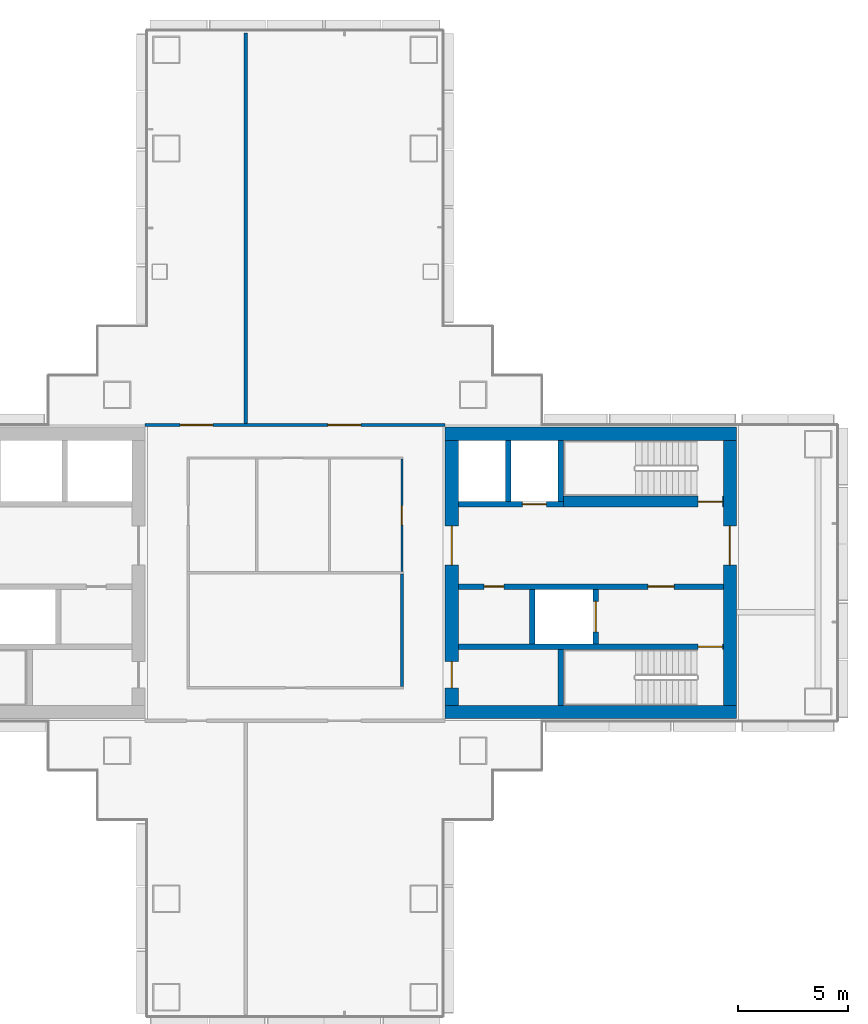
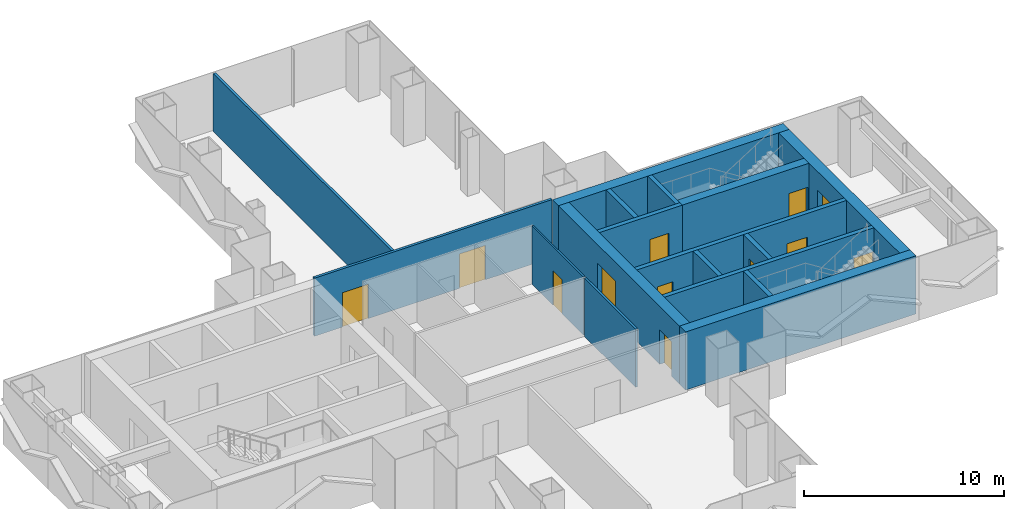
# One storey, part 15 of 20: 17 walls, 12 doors, 12 openings.
"""IFC4 building model written with IfcOpenShell, lengths in metres."""

from ifc_helpers import new_model, si_unit, direction, frame, frame_2d, origin, place, context, subcontext, project, spatial, rectangle, extrude, material, layer, layer_set, type_object, element, fill, save


model = new_model("IFC4")

# Units and contexts
model_context = context("Model", 3, precision=1e-05, world=origin(), true_north=direction((0.0, 1.0)))
body_context = subcontext(model_context, "Body", "Model", "MODEL_VIEW")
ifc_project = project(units=[si_unit("LENGTHUNIT", "METRE"), si_unit("AREAUNIT", "SQUARE_METRE"), si_unit("VOLUMEUNIT", "CUBIC_METRE"), si_unit("PLANEANGLEUNIT", "RADIAN"), si_unit("MASSUNIT", "GRAM", prefix="KILO")], contexts=[model_context])

# Site, building, storey
site_placement = place(None, origin())
site = spatial("IfcSite", under=ifc_project, at=site_placement, CompositionType="ELEMENT")
building_placement = place(site_placement, origin())
building = spatial("IfcBuilding", under=site, at=building_placement, Name="Shamsa Quay Exchange Towers", CompositionType="ELEMENT")
storey_placement = place(building_placement, frame((0.0, 0.0, 105.300048828125)))
storey = spatial("IfcBuildingStorey", under=building, at=storey_placement, Name="L24", CompositionType="ELEMENT", Elevation=105.300048828125)

# Walls
ifc_material_1 = material(Name="Concrete C70/85", Category="concrete")
ifc_layer_1 = layer(ifc_material_1, 0.60009765625)
ifc_layer_set_1 = layer_set([ifc_layer_1], Name="CORE WALL 600 C70/85")
wall_type_1 = type_object("IfcWallType", Name="CORE WALL 600 C70/85", PredefinedType="SHEAR", material=ifc_layer_set_1)
for number, where, z_axis, x_axis, name in (
    (1, (53.89990234375, -6.35009765625, 0.0), (0.0, 0.0, 1.0), (-1.0, 0.0, 0.0), "Core wall T2B-R10-PS"),
    (2, (53.89990234375, 6.35009765625, 0.0), (0.0, 0.0, 1.0), (-1.0, 0.0, 0.0), "Core wall T2B-R10-PN"),
):
    element("IfcWall", number, at=place(storey_placement, frame(where, z_axis=z_axis, x_axis=x_axis)), inside=storey, type_object=wall_type_1, Name=name, PredefinedType="SHEAR", context=body_context, shape_type="SweptSolid", body=[
        extrude(rectangle(XDim=13.2998046875, YDim=0.60009765625, at=frame_2d((6.64990234375, 0.0))), origin(), (0.0, 0.0, 1.0), 3.550048828125),
    ])

# Wall, opening, door
wall_1_placement = place(storey_placement, frame((53.60009765625, -6.050048828125, 0.0), z_axis=(0.0, 0.0, 1.0), x_axis=(0.0, 1.0, 0.0)))
wall_1 = element("IfcWall", 3, at=wall_1_placement, inside=storey, type_object=wall_type_1, Name="Core wall T2B-R10-PF", PredefinedType="SHEAR", context=body_context, shape_type="SweptSolid", body=[
    extrude(rectangle(XDim=12.10009765625, YDim=0.60009765625, at=frame_2d((6.050048828125, 0.0))), origin(), (0.0, 0.0, 1.0), 3.550048828125),
])
opening_1_placement = place(wall_1_placement, frame((6.39990234375, 0.0, 0.0)))
opening_1 = element("IfcOpeningElement", 4, at=opening_1_placement, cuts=wall_1, Name="Opening T2B-R10-LBD01", PredefinedType="OPENING", context=body_context, shape_type="SweptSolid", body=[
    extrude(rectangle(XDim=1.800048828125, YDim=2.39990234375, at=frame_2d((0.89990234375, 1.199951171875))), frame((0.0, 0.31005859375, 0.0), z_axis=(0.0, -1.0, 0.0), x_axis=(1.0, 0.0, 0.0)), (0.0, 0.0, 1.0), 0.6201171875),
])
ifc_material_2 = material(Name="Steel, fire rated", Category="steel")
door_type_1 = type_object("IfcDoorType", Name="LIFT LOBBY DOOR PAIR 1800", OperationType="DOUBLE_DOOR_SINGLE_SWING", PredefinedType="DOOR", material=ifc_material_2)
door_1_placement = place(opening_1_placement, origin())
door_1 = element("IfcDoor", 5, at=door_1_placement, inside=storey, type_object=door_type_1, Name="T2B-R10-LBD01", OperationType="DOUBLE_DOOR_SINGLE_SWING", OverallHeight=2.39990234375, OverallWidth=1.800048828125, PredefinedType="DOOR", context=body_context, shape_type="SweptSolid", body=[
    extrude(rectangle(XDim=1.800048828125, YDim=2.39990234375, at=frame_2d((0.89990234375, 1.199951171875))), frame((0.0, 0.02490234375, 0.0), z_axis=(0.0, -1.0, 0.0), x_axis=(1.0, 0.0, 0.0)), (0.0, 0.0, 1.0), 0.050048828125),
])
fill(opening_1, door_1)

# Wall, openings, doors
wall_2_placement = place(storey_placement, frame((40.89990234375, -6.050048828125, 0.0), z_axis=(0.0, 0.0, 1.0), x_axis=(0.0, 1.0, 0.0)))
wall_2 = element("IfcWall", 6, at=wall_2_placement, inside=storey, type_object=wall_type_1, Name="Core wall T2B-R10-PB", PredefinedType="SHEAR", context=body_context, shape_type="SweptSolid", body=[
    extrude(rectangle(XDim=12.10009765625, YDim=0.60009765625, at=frame_2d((6.050048828125, 0.0))), origin(), (0.0, 0.0, 1.0), 3.550048828125),
])
opening_2_placement = place(wall_2_placement, frame((0.800048828125, 0.0, 0.0)))
opening_2 = element("IfcOpeningElement", 7, at=opening_2_placement, cuts=wall_2, Name="Opening T2B-R10-RD02", PredefinedType="OPENING", context=body_context, shape_type="SweptSolid", body=[
    extrude(rectangle(XDim=1.199951171875, YDim=2.10009765625, at=frame_2d((0.60009765625, 1.050048828125))), frame((0.0, 0.31005859375, 0.0), z_axis=(0.0, -1.0, 0.0), x_axis=(1.0, 0.0, 0.0)), (0.0, 0.0, 1.0), 0.6201171875),
])
opening_3_placement = place(wall_2_placement, frame((6.39990234375, 0.0, 0.0)))
opening_3 = element("IfcOpeningElement", 8, at=opening_3_placement, cuts=wall_2, Name="Opening T2B-R10-LBD03", PredefinedType="OPENING", context=body_context, shape_type="SweptSolid", body=[
    extrude(rectangle(XDim=1.800048828125, YDim=2.39990234375, at=frame_2d((0.89990234375, 1.199951171875))), frame((0.0, 0.31005859375, 0.0), z_axis=(0.0, -1.0, 0.0), x_axis=(1.0, 0.0, 0.0)), (0.0, 0.0, 1.0), 0.6201171875),
])
door_2_placement = place(opening_3_placement, origin())
door_2 = element("IfcDoor", 9, at=door_2_placement, inside=storey, type_object=door_type_1, Name="T2B-R10-LBD03", OperationType="DOUBLE_DOOR_SINGLE_SWING", OverallHeight=2.39990234375, OverallWidth=1.800048828125, PredefinedType="DOOR", context=body_context, shape_type="SweptSolid", body=[
    extrude(rectangle(XDim=1.800048828125, YDim=2.39990234375, at=frame_2d((0.89990234375, 1.199951171875))), frame((0.0, 0.02490234375, 0.0), z_axis=(0.0, -1.0, 0.0), x_axis=(1.0, 0.0, 0.0)), (0.0, 0.0, 1.0), 0.050048828125),
])
fill(opening_3, door_2)
door_type_2 = type_object("IfcDoorType", Name="RISER ACCESS DOOR 1200", OperationType="SINGLE_SWING_LEFT", PredefinedType="DOOR", material=ifc_material_2)
door_3_placement = place(opening_2_placement, origin())
door_3 = element("IfcDoor", 10, at=door_3_placement, inside=storey, type_object=door_type_2, Name="T2B-R10-RD02", OperationType="SINGLE_SWING_LEFT", OverallHeight=2.10009765625, OverallWidth=1.199951171875, PredefinedType="DOOR", context=body_context, shape_type="SweptSolid", body=[
    extrude(rectangle(XDim=1.199951171875, YDim=2.10009765625, at=frame_2d((0.60009765625, 1.050048828125))), frame((0.0, 0.02490234375, 0.0), z_axis=(0.0, -1.0, 0.0), x_axis=(1.0, 0.0, 0.0)), (0.0, 0.0, 1.0), 0.050048828125),
])
fill(opening_2, door_3)

# Wall
ifc_material_3 = material(Name="Laminated fire-resisting glass in a metal frame", Category="glass")
ifc_layer_2 = layer(ifc_material_3, 0.125)
ifc_layer_set_2 = layer_set([ifc_layer_2], Name="Glazed partition 125 mm EI 60")
wall_type_2 = type_object("IfcWallType", Name="Glazed partition 125 mm EI 60", PredefinedType="PARTITIONING", material=ifc_layer_set_2)
wall_3_placement = place(storey_placement, frame((38.625, -5.1875, 0.0), z_axis=(0.0, 0.0, 1.0), x_axis=(0.0, 1.0, 0.0)))
element("IfcWall", 11, at=wall_3_placement, inside=storey, type_object=wall_type_2, Name="Partition T2-R10-W01", PredefinedType="PARTITIONING", context=body_context, shape_type="SweptSolid", body=[
    extrude(rectangle(XDim=5.125, YDim=0.125, at=frame_2d((2.5625, 0.0))), origin(), (0.0, 0.0, 1.0), 3.550048828125),
])

# Wall, opening, door
ifc_material_4 = material(Name="Gypsum board partition on metal studs")
ifc_layer_3 = layer(ifc_material_4, 0.10009765625)
ifc_layer_set_3 = layer_set([ifc_layer_3], Name="Partition 100 mm NOT RATED")
wall_type_3 = type_object("IfcWallType", Name="Partition 100 mm NOT RATED", PredefinedType="PARTITIONING", material=ifc_layer_set_3)
wall_4_placement = place(storey_placement, frame((38.625, 0.0625, 0.0), z_axis=(0.0, 0.0, 1.0), x_axis=(0.0, 1.0, 0.0)))
wall_4 = element("IfcWall", 12, at=wall_4_placement, inside=storey, type_object=wall_type_3, Name="Partition T2-R10-W04", PredefinedType="PARTITIONING", context=body_context, shape_type="SweptSolid", body=[
    extrude(rectangle(XDim=5.137451171875, YDim=0.10009765625, at=frame_2d((2.56884765625, 0.0))), origin(), (0.0, 0.0, 1.0), 3.550048828125),
])
opening_4_placement = place(wall_4_placement, frame((2.112548828125, 0.0, 0.0)))
opening_4 = element("IfcOpeningElement", 13, at=opening_4_placement, cuts=wall_4, Name="Opening T2-R10-D04", PredefinedType="OPENING", context=body_context, shape_type="SweptSolid", body=[
    extrude(rectangle(XDim=0.89990234375, YDim=2.10009765625, at=frame_2d((0.449951171875, 1.050048828125))), frame((0.0, 0.06005859375, 0.0), z_axis=(0.0, -1.0, 0.0), x_axis=(1.0, 0.0, 0.0)), (0.0, 0.0, 1.0), 0.1201171875),
])
ifc_material_5 = material(Name="Timber door leaf in a metal frame", Category="wood")
door_type_3 = type_object("IfcDoorType", Name="Door 900x2100 NOT RATED", OperationType="NOTDEFINED", PredefinedType="DOOR", material=ifc_material_5)
door_4_placement = place(opening_4_placement, origin())
door_4 = element("IfcDoor", 14, at=door_4_placement, inside=storey, type_object=door_type_3, Name="Door T2-R10-D04", OperationType="SINGLE_SWING_LEFT", OverallHeight=2.10009765625, OverallWidth=0.89990234375, PredefinedType="DOOR", context=body_context, shape_type="SweptSolid", body=[
    extrude(rectangle(XDim=0.89990234375, YDim=2.10009765625, at=frame_2d((0.449951171875, 1.050048828125))), frame((0.0, 0.02490234375, 0.0), z_axis=(0.0, -1.0, 0.0), x_axis=(1.0, 0.0, 0.0)), (0.0, 0.0, 1.0), 0.050048828125),
])
fill(opening_4, door_4)

# Wall, openings, doors
ifc_layer_4 = layer(ifc_material_4, 0.14990234375)
ifc_layer_set_4 = layer_set([ifc_layer_4], Name="Partition 150 mm EI 60")
wall_type_4 = type_object("IfcWallType", Name="Partition 150 mm EI 60", PredefinedType="PARTITIONING", material=ifc_layer_set_4)
wall_5_placement = place(storey_placement, frame((26.89990234375, 6.75, 0.0)))
wall_5 = element("IfcWall", 15, at=wall_5_placement, inside=storey, type_object=wall_type_4, Name="Partition T2-R10-W07", PredefinedType="PARTITIONING", context=body_context, shape_type="SweptSolid", body=[
    extrude(rectangle(XDim=13.7001953125, YDim=0.14990234375, at=frame_2d((6.85009765625, 0.0))), origin(), (0.0, 0.0, 1.0), 3.550048828125),
])
opening_5_placement = place(wall_5_placement, frame((8.35009765625, 0.0, 0.0)))
opening_5 = element("IfcOpeningElement", 16, at=opening_5_placement, cuts=wall_5, Name="Opening T2-R10-D01", PredefinedType="OPENING", context=body_context, shape_type="SweptSolid", body=[
    extrude(rectangle(XDim=1.5, YDim=2.10009765625, at=frame_2d((0.75, 1.050048828125))), frame((0.0, 0.0849609375, 0.0), z_axis=(0.0, -1.0, 0.0), x_axis=(1.0, 0.0, 0.0)), (0.0, 0.0, 1.0), 0.169921875),
])
opening_6_placement = place(wall_5_placement, frame((1.60009765625, 0.0, 0.0)))
opening_6 = element("IfcOpeningElement", 17, at=opening_6_placement, cuts=wall_5, Name="Opening T2-R10-D02", PredefinedType="OPENING", context=body_context, shape_type="SweptSolid", body=[
    extrude(rectangle(XDim=1.5, YDim=2.10009765625, at=frame_2d((0.75, 1.050048828125))), frame((0.0, 0.0849609375, 0.0), z_axis=(0.0, -1.0, 0.0), x_axis=(1.0, 0.0, 0.0)), (0.0, 0.0, 1.0), 0.169921875),
])
door_type_4 = type_object("IfcDoorType", Name="Door 1500x2100 FD30S pair", OperationType="NOTDEFINED", PredefinedType="DOOR", material=ifc_material_5)
door_5_placement = place(opening_5_placement, origin())
door_5 = element("IfcDoor", 18, at=door_5_placement, inside=storey, type_object=door_type_4, Name="Door T2-R10-D01", OperationType="DOUBLE_DOOR_SINGLE_SWING", OverallHeight=2.10009765625, OverallWidth=1.5, PredefinedType="DOOR", context=body_context, shape_type="SweptSolid", body=[
    extrude(rectangle(XDim=1.5, YDim=2.10009765625, at=frame_2d((0.75, 1.050048828125))), frame((0.0, 0.02490234375, 0.0), z_axis=(0.0, -1.0, 0.0), x_axis=(1.0, 0.0, 0.0)), (0.0, 0.0, 1.0), 0.050048828125),
])
fill(opening_5, door_5)
door_6_placement = place(opening_6_placement, origin())
door_6 = element("IfcDoor", 19, at=door_6_placement, inside=storey, type_object=door_type_4, Name="Door T2-R10-D02", OperationType="DOUBLE_DOOR_SINGLE_SWING", OverallHeight=2.10009765625, OverallWidth=1.5, PredefinedType="DOOR", context=body_context, shape_type="SweptSolid", body=[
    extrude(rectangle(XDim=1.5, YDim=2.10009765625, at=frame_2d((0.75, 1.050048828125))), frame((0.0, 0.02490234375, 0.0), z_axis=(0.0, -1.0, 0.0), x_axis=(1.0, 0.0, 0.0)), (0.0, 0.0, 1.0), 0.050048828125),
])
fill(opening_6, door_6)

# Wall
wall_6_placement = place(storey_placement, frame((31.5, 24.655029296875, 0.0), z_axis=(0.0, 0.0, 1.0), x_axis=(0.0, -1.0, 0.0)))
element("IfcWall", 20, at=wall_6_placement, inside=storey, type_object=wall_type_4, Name="Partition T2-R10-W13", PredefinedType="PARTITIONING", context=body_context, shape_type="SweptSolid", body=[
    extrude(rectangle(XDim=17.830078125, YDim=0.14990234375, at=frame_2d((8.9150390625, 0.0))), origin(), (0.0, 0.0, 1.0), 3.550048828125),
])

# Wall, opening, door
ifc_material_6 = material(Name="Concrete C50/60", Category="concrete")
ifc_layer_5 = layer(ifc_material_6, 0.25)
ifc_layer_set_5 = layer_set([ifc_layer_5], Name="SHAFT WALL 250 C50/60")
wall_type_5 = type_object("IfcWallType", Name="SHAFT WALL 250 C50/60", PredefinedType="SHEAR", material=ifc_layer_set_5)
wall_7_placement = place(storey_placement, frame((53.300048828125, -3.375, 0.0), z_axis=(0.0, 0.0, 1.0), x_axis=(-1.0, 0.0, 0.0)))
wall_7 = element("IfcWall", 21, at=wall_7_placement, inside=storey, type_object=wall_type_5, Name="Shaft wall T2B-R10-STL", PredefinedType="SHEAR", context=body_context, shape_type="SweptSolid", body=[
    extrude(rectangle(XDim=12.10009765625, YDim=0.25, at=frame_2d((6.050048828125, 0.0))), origin(), (0.0, 0.0, 1.0), 3.550048828125),
])
opening_7_placement = place(wall_7_placement, frame((0.050048828125, 0.0, 0.0)))
opening_7 = element("IfcOpeningElement", 22, at=opening_7_placement, cuts=wall_7, Name="Opening T2B-R10-SD04", PredefinedType="OPENING", context=body_context, shape_type="SweptSolid", body=[
    extrude(rectangle(XDim=1.10009765625, YDim=2.10009765625, at=frame_2d((0.550048828125, 1.050048828125))), frame((0.0, 0.135009765625, 0.0), z_axis=(0.0, -1.0, 0.0), x_axis=(1.0, 0.0, 0.0)), (0.0, 0.0, 1.0), 0.27001953125),
])
door_type_5 = type_object("IfcDoorType", Name="STAIR DOOR 1100", OperationType="SINGLE_SWING_LEFT", PredefinedType="DOOR", material=ifc_material_2)
door_7_placement = place(opening_7_placement, origin())
door_7 = element("IfcDoor", 23, at=door_7_placement, inside=storey, type_object=door_type_5, Name="T2B-R10-SD04", OperationType="SINGLE_SWING_LEFT", OverallHeight=2.10009765625, OverallWidth=1.10009765625, PredefinedType="DOOR", context=body_context, shape_type="SweptSolid", body=[
    extrude(rectangle(XDim=1.10009765625, YDim=2.10009765625, at=frame_2d((0.550048828125, 1.050048828125))), frame((0.0, 0.02490234375, 0.0), z_axis=(0.0, -1.0, 0.0), x_axis=(1.0, 0.0, 0.0)), (0.0, 0.0, 1.0), 0.050048828125),
])
fill(opening_7, door_7)

# Wall
wall_8_placement = place(storey_placement, frame((45.875, -6.050048828125, 0.0), z_axis=(0.0, 0.0, 1.0), x_axis=(0.0, 1.0, 0.0)))
element("IfcWall", 24, at=wall_8_placement, inside=storey, type_object=wall_type_5, Name="Shaft wall T2B-R10-STF", PredefinedType="SHEAR", context=body_context, shape_type="SweptSolid", body=[
    extrude(rectangle(XDim=2.550048828125, YDim=0.25, at=frame_2d((1.27490234375, 0.0))), origin(), (0.0, 0.0, 1.0), 3.550048828125),
])

# Wall, openings, doors
wall_9_placement = place(storey_placement, frame((53.300048828125, -0.625, 0.0), z_axis=(0.0, 0.0, 1.0), x_axis=(-1.0, 0.0, 0.0)))
wall_9 = element("IfcWall", 25, at=wall_9_placement, inside=storey, type_object=wall_type_5, Name="Shaft wall T2B-R10-B", PredefinedType="SHEAR", context=body_context, shape_type="SweptSolid", body=[
    extrude(rectangle(XDim=12.10009765625, YDim=0.25, at=frame_2d((6.050048828125, 0.0))), origin(), (0.0, 0.0, 1.0), 3.550048828125),
])
opening_8_placement = place(wall_9_placement, frame((2.25, 0.0, 0.0)))
opening_8 = element("IfcOpeningElement", 26, at=opening_8_placement, cuts=wall_9, Name="Opening T2B-R10-FD05", PredefinedType="OPENING", context=body_context, shape_type="SweptSolid", body=[
    extrude(rectangle(XDim=1.199951171875, YDim=2.10009765625, at=frame_2d((0.60009765625, 1.050048828125))), frame((0.0, 0.135009765625, 0.0), z_axis=(0.0, -1.0, 0.0), x_axis=(1.0, 0.0, 0.0)), (0.0, 0.0, 1.0), 0.27001953125),
])
opening_9_placement = place(wall_9_placement, frame((10.02490234375, 0.0, 0.0)))
opening_9 = element("IfcOpeningElement", 27, at=opening_9_placement, cuts=wall_9, Name="Opening T2B-R10-SV06", PredefinedType="OPENING", context=body_context, shape_type="SweptSolid", body=[
    extrude(rectangle(XDim=0.89990234375, YDim=2.10009765625, at=frame_2d((0.449951171875, 1.050048828125))), frame((0.0, 0.135009765625, 0.0), z_axis=(0.0, -1.0, 0.0), x_axis=(1.0, 0.0, 0.0)), (0.0, 0.0, 1.0), 0.27001953125),
])
door_type_6 = type_object("IfcDoorType", Name="FIRE SERVICE LOBBY DOOR 1200", OperationType="SINGLE_SWING_LEFT", PredefinedType="DOOR", material=ifc_material_2)
door_8_placement = place(opening_8_placement, origin())
door_8 = element("IfcDoor", 28, at=door_8_placement, inside=storey, type_object=door_type_6, Name="T2B-R10-FD05", OperationType="SINGLE_SWING_LEFT", OverallHeight=2.10009765625, OverallWidth=1.199951171875, PredefinedType="DOOR", context=body_context, shape_type="SweptSolid", body=[
    extrude(rectangle(XDim=1.199951171875, YDim=2.10009765625, at=frame_2d((0.60009765625, 1.050048828125))), frame((0.0, 0.02490234375, 0.0), z_axis=(0.0, -1.0, 0.0), x_axis=(1.0, 0.0, 0.0)), (0.0, 0.0, 1.0), 0.050048828125),
])
fill(opening_8, door_8)
door_type_7 = type_object("IfcDoorType", Name="SERVICE ROOM DOOR 900", OperationType="SINGLE_SWING_LEFT", PredefinedType="DOOR", material=ifc_material_2)
door_9_placement = place(opening_9_placement, origin())
door_9 = element("IfcDoor", 29, at=door_9_placement, inside=storey, type_object=door_type_7, Name="T2B-R10-SV06", OperationType="SINGLE_SWING_RIGHT", OverallHeight=2.10009765625, OverallWidth=0.89990234375, PredefinedType="DOOR", context=body_context, shape_type="SweptSolid", body=[
    extrude(rectangle(XDim=0.89990234375, YDim=2.10009765625, at=frame_2d((0.449951171875, 1.050048828125))), frame((0.0, 0.02490234375, 0.0), z_axis=(0.0, -1.0, 0.0), x_axis=(1.0, 0.0, 0.0)), (0.0, 0.0, 1.0), 0.050048828125),
])
fill(opening_9, door_9)

# Wall, opening, door
wall_10_placement = place(storey_placement, frame((47.47509765625, -3.25, 0.0), z_axis=(0.0, 0.0, 1.0), x_axis=(0.0, 1.0, 0.0)))
wall_10 = element("IfcWall", 30, at=wall_10_placement, inside=storey, type_object=wall_type_5, Name="Shaft wall T2B-R10-FFF", PredefinedType="SHEAR", context=body_context, shape_type="SweptSolid", body=[
    extrude(rectangle(XDim=2.5, YDim=0.25, at=frame_2d((1.25, 0.0))), origin(), (0.0, 0.0, 1.0), 3.550048828125),
])
opening_10_placement = place(wall_10_placement, frame((0.550048828125, 0.0, 0.0)))
opening_10 = element("IfcOpeningElement", 31, at=opening_10_placement, cuts=wall_10, Name="Opening T2B-R10-LDG07", PredefinedType="OPENING", context=body_context, shape_type="SweptSolid", body=[
    extrude(rectangle(XDim=1.39990234375, YDim=2.39990234375, at=frame_2d((0.699951171875, 1.199951171875))), frame((0.0, 0.135009765625, 0.0), z_axis=(0.0, -1.0, 0.0), x_axis=(1.0, 0.0, 0.0)), (0.0, 0.0, 1.0), 0.27001953125),
])
door_type_8 = type_object("IfcDoorType", Name="GOODS LIFT LANDING DOOR 1400", OperationType="SLIDING_TO_LEFT", PredefinedType="DOOR", material=ifc_material_2)
door_10_placement = place(opening_10_placement, origin())
door_10 = element("IfcDoor", 32, at=door_10_placement, inside=storey, type_object=door_type_8, Name="T2B-R10-LDG07", OperationType="SLIDING_TO_LEFT", OverallHeight=2.39990234375, OverallWidth=1.39990234375, PredefinedType="DOOR", context=body_context, shape_type="SweptSolid", body=[
    extrude(rectangle(XDim=1.39990234375, YDim=2.39990234375, at=frame_2d((0.699951171875, 1.199951171875))), frame((0.0, 0.02490234375, 0.0), z_axis=(0.0, -1.0, 0.0), x_axis=(1.0, 0.0, 0.0)), (0.0, 0.0, 1.0), 0.050048828125),
])
fill(opening_10, door_10)

# Wall
wall_11_placement = place(storey_placement, frame((44.574951171875, -3.25, 0.0), z_axis=(0.0, 0.0, 1.0), x_axis=(0.0, 1.0, 0.0)))
element("IfcWall", 33, at=wall_11_placement, inside=storey, type_object=wall_type_5, Name="Shaft wall T2B-R10-FFB", PredefinedType="SHEAR", context=body_context, shape_type="SweptSolid", body=[
    extrude(rectangle(XDim=2.5, YDim=0.25, at=frame_2d((1.25, 0.0))), origin(), (0.0, 0.0, 1.0), 3.550048828125),
])

# Wall, opening, door
wall_12_placement = place(storey_placement, frame((46.0, 3.125, 0.0), z_axis=(0.0, 0.0, 1.0), x_axis=(-1.0, 0.0, 0.0)))
wall_12 = element("IfcWall", 34, at=wall_12_placement, inside=storey, type_object=wall_type_5, Name="Shaft wall T2B-R10-N2", PredefinedType="SHEAR", context=body_context, shape_type="SweptSolid", body=[
    extrude(rectangle(XDim=4.800048828125, YDim=0.25, at=frame_2d((2.39990234375, 0.0))), origin(), (0.0, 0.0, 1.0), 3.550048828125),
])
opening_11_placement = place(wall_12_placement, frame((0.77490234375, 0.0, 0.0)))
opening_11 = element("IfcOpeningElement", 35, at=opening_11_placement, cuts=wall_12, Name="Opening T2B-R10-LD09", PredefinedType="OPENING", context=body_context, shape_type="SweptSolid", body=[
    extrude(rectangle(XDim=1.10009765625, YDim=2.10009765625, at=frame_2d((0.550048828125, 1.050048828125))), frame((0.0, 0.135009765625, 0.0), z_axis=(0.0, -1.0, 0.0), x_axis=(1.0, 0.0, 0.0)), (0.0, 0.0, 1.0), 0.27001953125),
])
door_type_9 = type_object("IfcDoorType", Name="LANDING DOOR 1100", OperationType="SLIDING_TO_LEFT", PredefinedType="DOOR", material=ifc_material_2)
door_11_placement = place(opening_11_placement, origin())
door_11 = element("IfcDoor", 36, at=door_11_placement, inside=storey, type_object=door_type_9, Name="T2B-R10-LD09", OperationType="SLIDING_TO_LEFT", OverallHeight=2.10009765625, OverallWidth=1.10009765625, PredefinedType="DOOR", context=body_context, shape_type="SweptSolid", body=[
    extrude(rectangle(XDim=1.10009765625, YDim=2.10009765625, at=frame_2d((0.550048828125, 1.050048828125))), frame((0.0, 0.02490234375, 0.0), z_axis=(0.0, -1.0, 0.0), x_axis=(1.0, 0.0, 0.0)), (0.0, 0.0, 1.0), 0.050048828125),
])
fill(opening_11, door_11)

# Walls
for number, where, z_axis, x_axis, name in (
    (37, (45.875, 3.25, 0.0), (0.0, 0.0, 1.0), (0.0, 1.0, 0.0), "Shaft wall T2B-R10-STF2"),
    (38, (43.47509765625, 3.25, 0.0), (0.0, 0.0, 1.0), (0.0, 1.0, 0.0), "Shaft wall T2B-R10-D0"),
):
    element("IfcWall", number, at=place(storey_placement, frame(where, z_axis=z_axis, x_axis=x_axis)), inside=storey, type_object=wall_type_5, Name=name, PredefinedType="SHEAR", context=body_context, shape_type="SweptSolid", body=[
        extrude(rectangle(XDim=2.800048828125, YDim=0.25, at=frame_2d((1.39990234375, 0.0))), origin(), (0.0, 0.0, 1.0), 3.550048828125),
    ])

# Wall, opening, door
ifc_layer_6 = layer(ifc_material_6, 0.5)
ifc_layer_set_6 = layer_set([ifc_layer_6], Name="SHAFT WALL 500 C50/60")
wall_type_6 = type_object("IfcWallType", Name="SHAFT WALL 500 C50/60", PredefinedType="SHEAR", material=ifc_layer_set_6)
wall_13_placement = place(storey_placement, frame((46.0, 3.25, 0.0)))
wall_13 = element("IfcWall", 39, at=wall_13_placement, inside=storey, type_object=wall_type_6, Name="Shaft wall T2B-R10-N", PredefinedType="SHEAR", context=body_context, shape_type="SweptSolid", body=[
    extrude(rectangle(XDim=7.300048828125, YDim=0.5, at=frame_2d((3.64990234375, 0.0))), origin(), (0.0, 0.0, 1.0), 3.550048828125),
])
opening_12_placement = place(wall_13_placement, frame((6.14990234375, 0.0, 0.0)))
opening_12 = element("IfcOpeningElement", 40, at=opening_12_placement, cuts=wall_13, Name="Opening T2B-R10-SD08", PredefinedType="OPENING", context=body_context, shape_type="SweptSolid", body=[
    extrude(rectangle(XDim=1.10009765625, YDim=2.10009765625, at=frame_2d((0.550048828125, 1.050048828125))), frame((0.0, 0.260009765625, 0.0), z_axis=(0.0, -1.0, 0.0), x_axis=(1.0, 0.0, 0.0)), (0.0, 0.0, 1.0), 0.52001953125),
])
door_12_placement = place(opening_12_placement, origin())
door_12 = element("IfcDoor", 41, at=door_12_placement, inside=storey, type_object=door_type_5, Name="T2B-R10-SD08", OperationType="SINGLE_SWING_RIGHT", OverallHeight=2.10009765625, OverallWidth=1.10009765625, PredefinedType="DOOR", context=body_context, shape_type="SweptSolid", body=[
    extrude(rectangle(XDim=1.10009765625, YDim=2.10009765625, at=frame_2d((0.550048828125, 1.050048828125))), frame((0.0, 0.02490234375, 0.0), z_axis=(0.0, -1.0, 0.0), x_axis=(1.0, 0.0, 0.0)), (0.0, 0.0, 1.0), 0.050048828125),
])
fill(opening_12, door_12)

save(model, "model.ifc")
